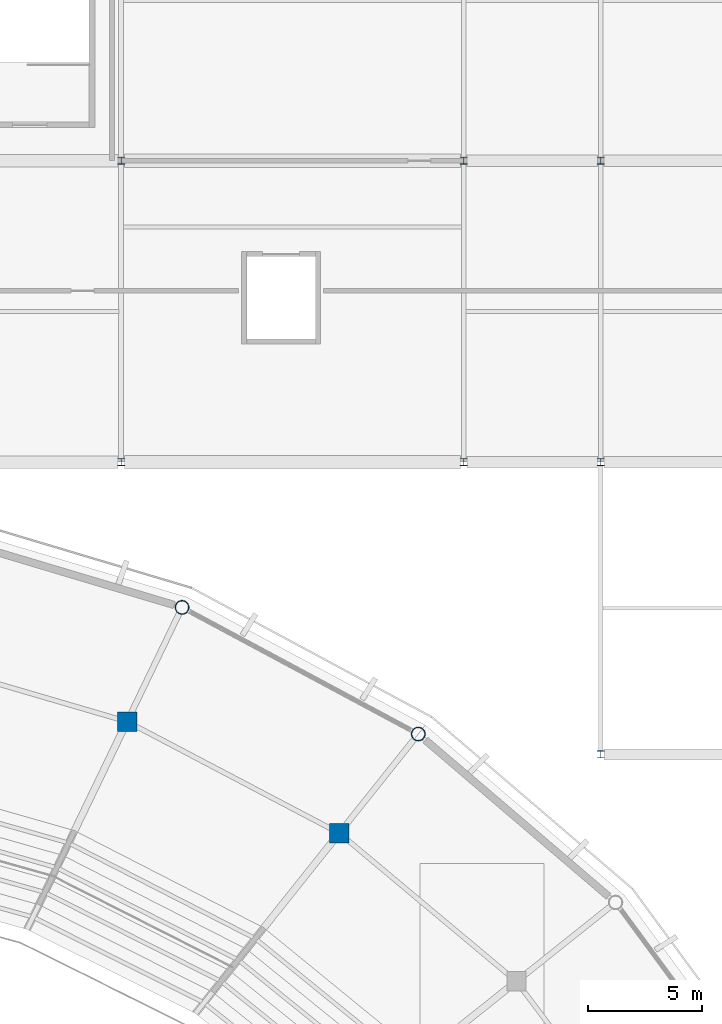
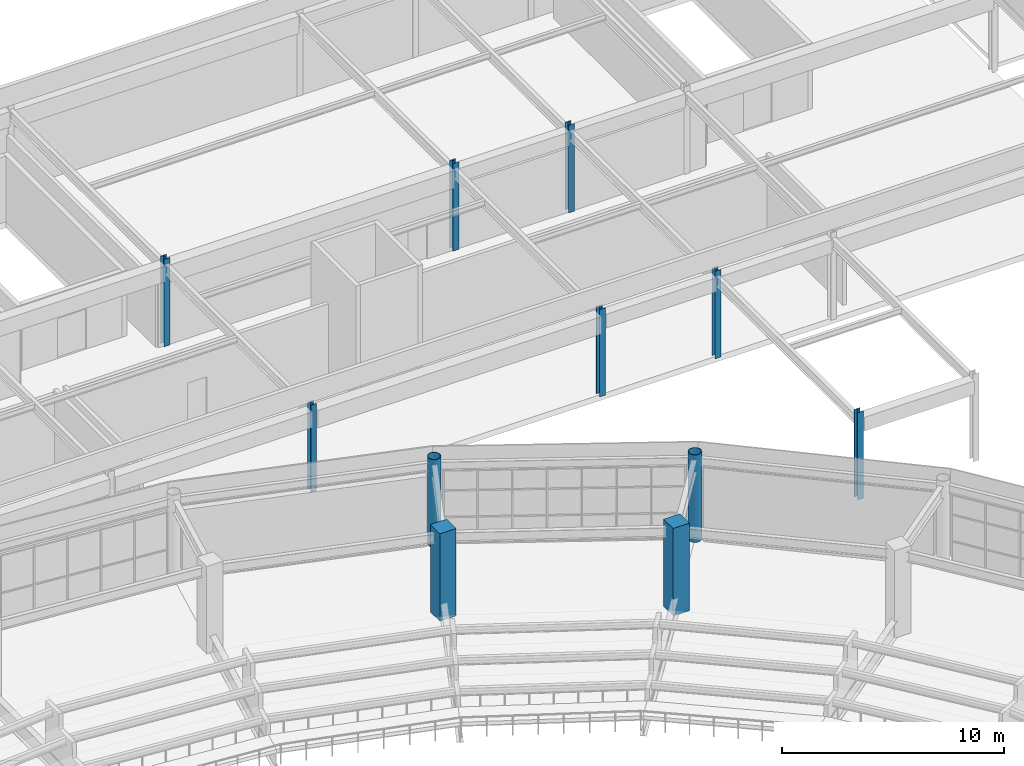
# One storey, part 12 of 122: 11 columns.
"""IFC4 building model written with IfcOpenShell, lengths in metres."""

from ifc_helpers import new_model, si_unit, direction, frame, origin, origin_2d, place, context, subcontext, project, spatial, rectangle, hollow_circle, i_section, extrude, material, material_profile, profile_set, type_object, element, save


model = new_model("IFC4")

# Units and contexts
model_context = context("Model", 3, precision=1e-05, world=origin(), true_north=direction((0.0, 1.0)))
body_context = subcontext(model_context, "Body", "Model", "MODEL_VIEW")
ifc_project = project(units=[si_unit("LENGTHUNIT", "METRE"), si_unit("AREAUNIT", "SQUARE_METRE"), si_unit("VOLUMEUNIT", "CUBIC_METRE"), si_unit("PLANEANGLEUNIT", "RADIAN"), si_unit("MASSUNIT", "GRAM", prefix="KILO")], contexts=[model_context])

# Site, building, storey
site_placement = place(None, origin())
site = spatial("IfcSite", under=ifc_project, at=site_placement, CompositionType="ELEMENT")
building_placement = place(site_placement, origin())
building = spatial("IfcBuilding", under=site, at=building_placement, Name="Cuetzalor Civic Arena", CompositionType="ELEMENT")
storey_placement = place(building_placement, frame((0.0, 0.0, 16.199951171875)))
storey = spatial("IfcBuildingStorey", under=building, at=storey_placement, Name="L03", CompositionType="ELEMENT", Elevation=16.199951171875)

# Columns
ifc_material_1 = material(Name="Concrete C40/50", Category="concrete")
ifc_material_profile_1 = material_profile(ifc_material_1, rectangle(XDim=0.85009765625, YDim=0.85009765625, at=origin_2d()), Name="RC 850x850")
ifc_profile_set_1 = profile_set([ifc_material_profile_1], Name="Concrete C40/50")
column_type_1 = type_object("IfcColumnType", Name="ConcreteColumn_850", PredefinedType="COLUMN", material=ifc_profile_set_1)
for number, where, z_axis, x_axis, name in (
    (1, (30.551025390625, 32.05517578125, 0.0), (0.0, 0.0, 1.0), (1.0, 0.0, 0.0), "Column V1-REC-05 L03"),
    (2, (21.26025390625, 36.939697265625, 0.0), (0.0, 0.0, 1.0), (1.0, 0.0, 0.0), "Column V1-REC-06 L03"),
):
    element("IfcColumn", number, at=place(storey_placement, frame(where, z_axis=z_axis, x_axis=x_axis)), inside=storey, type_object=column_type_1, Name=name, PredefinedType="COLUMN", context=body_context, shape_type="SweptSolid", body=[
        extrude(rectangle(XDim=0.85009765625, YDim=0.85009765625, at=origin_2d()), origin(), (0.0, 0.0, 1.0), 4.800048828125),
    ])
ifc_material_2 = material(Name="Steel S355", Category="steel")
ifc_material_profile_2 = material_profile(ifc_material_2, hollow_circle(Radius=0.304931640625, WallThickness=0.02490234375, at=origin_2d()), Name="CHS 610x25")
ifc_profile_set_2 = profile_set([ifc_material_profile_2], Name="Steel S355")
column_type_2 = type_object("IfcColumnType", Name="SteelDomePylon_CHS610", PredefinedType="COLUMN", material=ifc_profile_set_2)
for number, where, z_axis, x_axis, name in (
    (3, (34.011474609375, 36.394287109375, 0.0), (0.0, 0.0, 1.0), (1.0, 0.0, 0.0), "Column V1-PYL-05 L03"),
    (4, (23.66845703125, 41.940185546875, 0.0), (0.0, 0.0, 1.0), (1.0, 0.0, 0.0), "Column V1-PYL-06 L03"),
):
    element("IfcColumn", number, at=place(storey_placement, frame(where, z_axis=z_axis, x_axis=x_axis)), inside=storey, type_object=column_type_2, Name=name, PredefinedType="COLUMN", context=body_context, shape_type="SweptSolid", body=[
        extrude(hollow_circle(Radius=0.304931640625, WallThickness=0.02490234375, at=origin_2d()), origin(), (0.0, 0.0, 1.0), 4.800048828125),
    ])
ifc_material_3 = material(Name="Steel S355", Category="steel")
ifc_material_profile_3 = material_profile(ifc_material_3, i_section(OverallWidth=0.304931640625, OverallDepth=0.30810546875, WebThickness=0.010009765625, FlangeThickness=0.015380859375, at=origin_2d()), Name="W310x97")
ifc_profile_set_3 = profile_set([ifc_material_profile_3], Name="Steel S355")
column_type_3 = type_object("IfcColumnType", Name="SteelGalleryColumn_W310", PredefinedType="COLUMN", material=ifc_profile_set_3)
for number, where, z_axis, x_axis, name in (
    (5, (21.0, 48.300048828125, 0.0), (0.0, 0.0, 1.0), (1.0, 0.0, 0.0), "Column V5-C-10-02 L03"),
    (6, (21.0, 61.5, 0.0), (0.0, 0.0, 1.0), (1.0, 0.0, 0.0), "Column V5-C-10-04 L03"),
    (7, (36.0, 48.300048828125, 0.0), (0.0, 0.0, 1.0), (1.0, 0.0, 0.0), "Column V5-C-11-02 L03"),
    (8, (36.0, 61.5, 0.0), (0.0, 0.0, 1.0), (1.0, 0.0, 0.0), "Column V5-C-11-04 L03"),
    (9, (42.0, 35.5, 0.0), (0.0, 0.0, 1.0), (1.0, 0.0, 0.0), "Column V5-C-12-01 L03"),
    (10, (42.0, 48.300048828125, 0.0), (0.0, 0.0, 1.0), (1.0, 0.0, 0.0), "Column V5-C-12-02 L03"),
    (11, (42.0, 61.5, 0.0), (0.0, 0.0, 1.0), (1.0, 0.0, 0.0), "Column V5-C-12-04 L03"),
):
    element("IfcColumn", number, at=place(storey_placement, frame(where, z_axis=z_axis, x_axis=x_axis)), inside=storey, type_object=column_type_3, Name=name, PredefinedType="COLUMN", context=body_context, shape_type="SweptSolid", body=[
        extrude(i_section(OverallWidth=0.304931640625, OverallDepth=0.30810546875, WebThickness=0.010009765625, FlangeThickness=0.015380859375, at=origin_2d()), origin(), (0.0, 0.0, 1.0), 4.800048828125),
    ])

save(model, "model.ifc")
